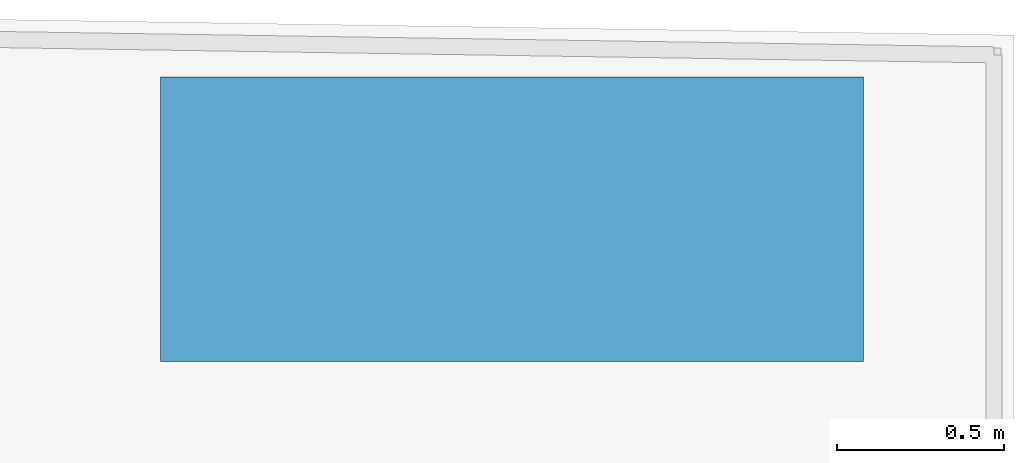
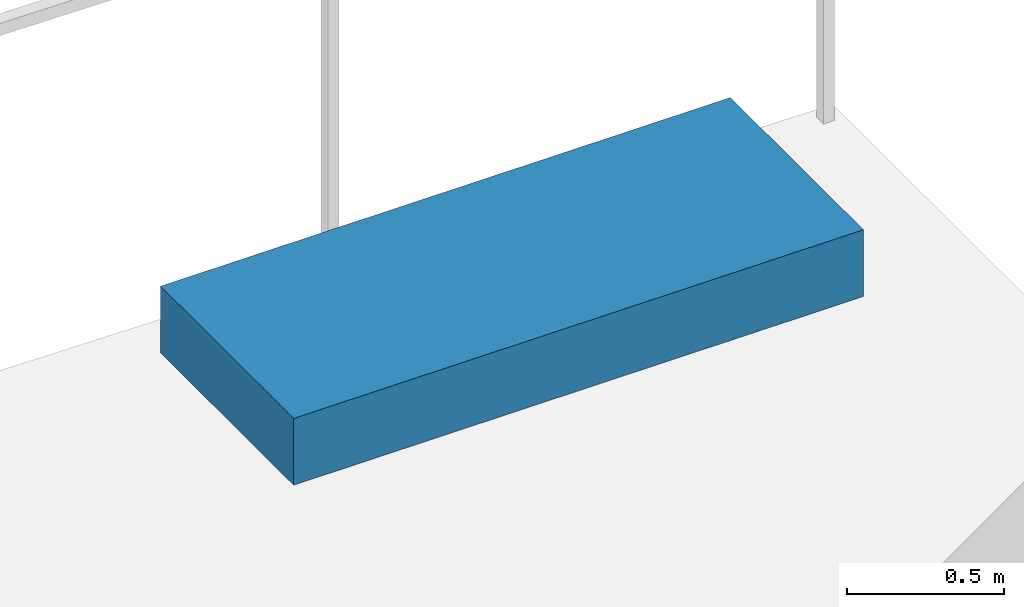
# One storey, part 7 of 10: 1 discrete accessory.
"""IFC4 building model written with IfcOpenShell, lengths in metres."""

from ifc_helpers import new_model, si_unit, direction, frame, origin, origin_2d, place, context, subcontext, project, spatial, rectangle, extrude, material, type_object, element, save


model = new_model("IFC4")

# Units and contexts
model_context = context("Model", 3, precision=1e-05, world=origin(), true_north=direction((0.0, 1.0)))
body_context = subcontext(model_context, "Body", "Model", "MODEL_VIEW")
ifc_project = project(units=[si_unit("LENGTHUNIT", "METRE"), si_unit("AREAUNIT", "SQUARE_METRE"), si_unit("VOLUMEUNIT", "CUBIC_METRE"), si_unit("PLANEANGLEUNIT", "RADIAN"), si_unit("MASSUNIT", "GRAM", prefix="KILO")], contexts=[model_context])

# Site, building, storey
site_placement = place(None, origin())
site = spatial("IfcSite", under=ifc_project, at=site_placement, CompositionType="ELEMENT")
building_placement = place(site_placement, origin())
building = spatial("IfcBuilding", under=site, at=building_placement, Name="Kilnhurst Terrace Hotel", CompositionType="ELEMENT")
storey_placement = place(building_placement, frame((0.0, 0.0, 56.39990234375)))
storey = spatial("IfcBuildingStorey", under=building, at=storey_placement, Name="L12", CompositionType="ELEMENT", Elevation=56.39990234375)

# Discrete accessory
ifc_material = material(Name="Precast Concrete C40/50 Tree Planter", Category="concrete")
discrete_accessory_type = type_object("IfcDiscreteAccessoryType", Name="PLN-TREE-260", PredefinedType="USERDEFINED", material=ifc_material)
discrete_accessory_placement = place(storey_placement, frame((9.89208984375, 25.449951171875, 0.0), z_axis=(0.0, 0.0, 1.0), x_axis=(-1.0, 0.0, 0.0)))
element("IfcDiscreteAccessory", 1, at=discrete_accessory_placement, inside=storey, type_object=discrete_accessory_type, Name="L12 Structural Tree Planter Box PLANTER BAL-L1B.1", ObjectType="PLANTER", PredefinedType="USERDEFINED", context=body_context, shape_type="SweptSolid", body=[
    extrude(rectangle(XDim=2.10009765625, YDim=0.85009765625, at=origin_2d()), origin(), (0.0, 0.0, 1.0), 0.260009765625),
])

save(model, "model.ifc")
